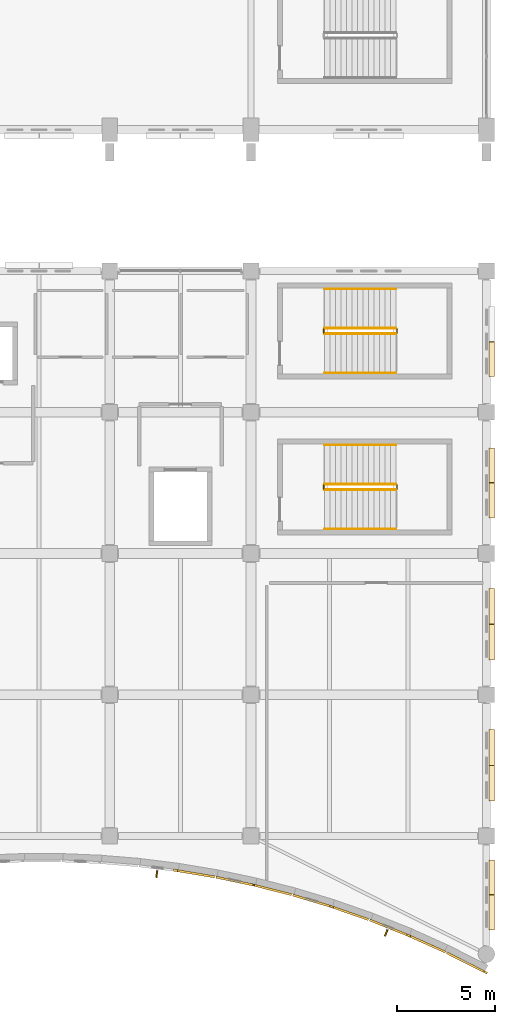
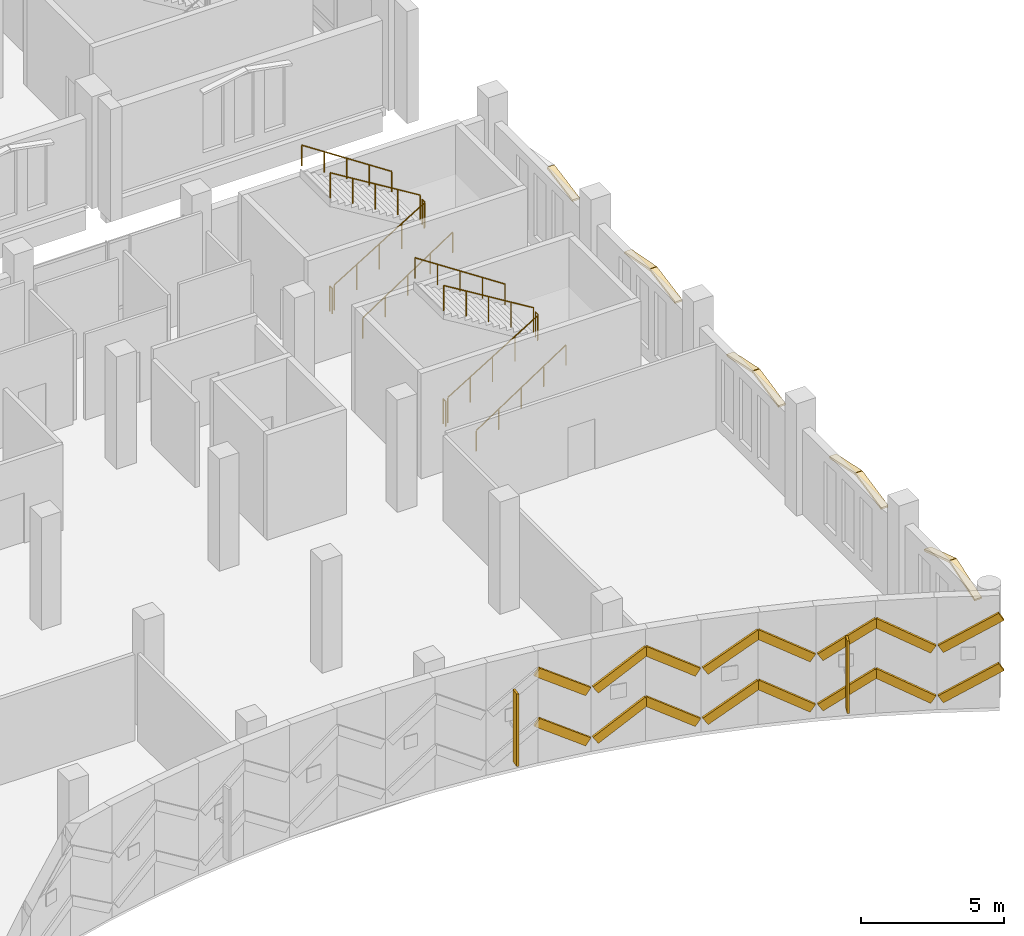
# One storey, part 209 of 220: 25 coverings, 12 railings, 2 shading devices.
"""IFC4 building model written with IfcOpenShell, lengths in metres."""

import ifcopenshell
import ifcopenshell.guid

model = None  # the IFC model being written
_history = None  # IfcOwnerHistory: only IFC2X3 demands one
_inside = {}  # id of a spatial element -> (the spatial element, [elements in it])
_under = {}  # id of a project, library or spatial element -> (it, [spatial elements below it])
_declared = {}  # id of a project -> (the project, [libraries it declares])
_typed = {}  # id of a type object -> (the type object, [elements of that type])
_made_of = {}  # id of a material, layer set ... -> (it, [elements and type objects made of it])


def new_model(schema):
    """Start an empty IFC model of exactly this schema.

    Asked for "IFC4X3", IfcOpenShell would pick the latest addendum, in which some entities
    have other attributes; the version numbers below select the first issue.
    IFC2X3 requires an IfcOwnerHistory on every rooted entity: one is made here for all.
    """
    global model, _history
    if schema == "IFC4X3":
        model = ifcopenshell.file(schema_version=(4, 3, 0, 0))
    else:
        model = ifcopenshell.file(schema=schema)
    _inside.clear()
    _under.clear()
    _declared.clear()
    _typed.clear()
    _made_of.clear()
    _history = None
    if model.schema == "IFC2X3":
        org = make("IfcOrganization", Name="unknown")
        user = make(
            "IfcPersonAndOrganization",
            ThePerson=make("IfcPerson", FamilyName="unknown"),
            TheOrganization=org,
        )
        app = make(
            "IfcApplication",
            ApplicationDeveloper=org,
            Version="unknown",
            ApplicationFullName="unknown",
            ApplicationIdentifier="unknown",
        )
        _history = make(
            "IfcOwnerHistory",
            OwningUser=user,
            OwningApplication=app,
            ChangeAction="ADDED",
            CreationDate=0,
        )
    return model


def make(cls, **values):
    """One entity of the class cls with the attributes given. An attribute that is None is left unset."""
    return model.create_entity(
        cls, **{name: value for name, value in values.items() if value is not None}
    )


def rooted(cls, **values):
    """An entity with a GlobalId (a new one), such as an element, a storey or a relation."""
    return make(cls, GlobalId=ifcopenshell.guid.new(), OwnerHistory=_history, **values)


def si_unit(unit_type, name, prefix=None):
    """IfcSIUnit, for example si_unit("LENGTHUNIT", "METRE", prefix="MILLI")."""
    return make("IfcSIUnit", UnitType=unit_type, Prefix=prefix, Name=name)


def assignment(units):
    """IfcUnitAssignment: the units of a project."""
    return None if units is None else make("IfcUnitAssignment", Units=units)


def point(xyz):
    """IfcCartesianPoint."""
    return None if xyz is None else make("IfcCartesianPoint", Coordinates=xyz)


def direction(xyz):
    """IfcDirection."""
    return None if xyz is None else make("IfcDirection", DirectionRatios=xyz)


def frame(location, z_axis=None, x_axis=None):
    """IfcAxis2Placement3D, a coordinate frame: its origin and axes. An axis left out is left unset."""
    return make(
        "IfcAxis2Placement3D",
        Location=point(location),
        Axis=direction(z_axis),
        RefDirection=direction(x_axis),
    )


def frame_2d(location, x_axis=None):
    """IfcAxis2Placement2D, a coordinate frame in the plane: its origin and x axis."""
    return make(
        "IfcAxis2Placement2D", Location=point(location), RefDirection=direction(x_axis)
    )


def origin():
    """The frame at (0, 0, 0) with its axes left unset."""
    return frame((0.0, 0.0, 0.0))


def origin_2d():
    """The frame at (0, 0) in the plane with its x axis left unset."""
    return frame_2d((0.0, 0.0))


def place(relative_to, where):
    """IfcLocalPlacement: puts the frame where relative to a parent placement (None: the world)."""
    return make(
        "IfcLocalPlacement", PlacementRelTo=relative_to, RelativePlacement=where
    )


def context(
    kind, dimensions, precision=None, world=None, true_north=None, identifier=None
):
    """IfcGeometricRepresentationContext, for example the 3D "Model" context."""
    return make(
        "IfcGeometricRepresentationContext",
        ContextIdentifier=identifier,
        ContextType=kind,
        CoordinateSpaceDimension=dimensions,
        Precision=precision,
        WorldCoordinateSystem=world,
        TrueNorth=true_north,
    )


def subcontext(parent, identifier, kind, view, scale=None):
    """IfcGeometricRepresentationSubContext, for example "Body" below "Model"."""
    return make(
        "IfcGeometricRepresentationSubContext",
        ContextIdentifier=identifier,
        ContextType=kind,
        ParentContext=parent,
        TargetScale=scale,
        TargetView=view,
    )


def project(units=None, contexts=None):
    """IfcProject with its units and contexts."""
    return rooted(
        "IfcProject",
        Name="project",
        RepresentationContexts=contexts,
        UnitsInContext=assignment(units),
    )


def spatial(cls, under=None, at=None, **own):
    """A site, building, storey or space (cls), placed at a placement, below another one or the project."""
    s = rooted(cls, ObjectPlacement=at, **own)
    if under is not None:
        _under.setdefault(under.id(), (under, []))[1].append(s)
    return s


def polyline(points):
    """IfcPolyline through the points."""
    return make("IfcPolyline", Points=[point(p) for p in points])


def profile(cls, at=None, kind="AREA", **sizes):
    """A parametric profile (cls). Its sizes go by their IFC names, for example OverallWidth=200.0."""
    return make(cls, ProfileType=kind, Position=at, **sizes)


def rectangle(**sizes):
    """IfcRectangleProfileDef."""
    return profile("IfcRectangleProfileDef", **sizes)


def circle(**sizes):
    """IfcCircleProfileDef."""
    return profile("IfcCircleProfileDef", **sizes)


def outline(outer, holes=None, kind="AREA"):
    """IfcArbitraryClosedProfileDef: a profile drawn as a closed curve; with holes, ...WithVoids."""
    if holes is None:
        return make("IfcArbitraryClosedProfileDef", ProfileType=kind, OuterCurve=outer)
    return make(
        "IfcArbitraryProfileDefWithVoids",
        ProfileType=kind,
        OuterCurve=outer,
        InnerCurves=holes,
    )


def extrude(swept, where, along, depth):
    """IfcExtrudedAreaSolid: the profile swept, set in the frame where, extruded along a direction by depth."""
    return make(
        "IfcExtrudedAreaSolid",
        SweptArea=swept,
        Position=where,
        ExtrudedDirection=direction(along),
        Depth=depth,
    )


def shape(context_of_items, identifier, shape_type, items):
    """IfcShapeRepresentation: the items that make up one representation, for example the "Body"."""
    return make(
        "IfcShapeRepresentation",
        ContextOfItems=context_of_items,
        RepresentationIdentifier=identifier,
        RepresentationType=shape_type,
        Items=items,
    )


def material(Name=None, Category=None):
    """IfcMaterial."""
    return make("IfcMaterial", Name=Name, Category=Category)


def layer(
    of_material, thickness, ventilated=None, Name=None, Category=None, Priority=None
):
    """IfcMaterialLayer: one layer of a wall or slab, of a material (None: an air gap)."""
    return make(
        "IfcMaterialLayer",
        Material=of_material,
        LayerThickness=thickness,
        IsVentilated=ventilated,
        Name=Name,
        Category=Category,
        Priority=Priority,
    )


def layer_set(layers, Name=None):
    """IfcMaterialLayerSet."""
    return make("IfcMaterialLayerSet", MaterialLayers=layers, LayerSetName=Name)


def made_of(thing, what):
    """Note that an element or type object is made of a material, layer set ...; save() writes the relation."""
    if what is not None:
        _made_of.setdefault(what.id(), (what, []))[1].append(thing)
    return thing


def type_object(cls, material=None, **own):
    """A type object (cls), such as IfcWallType, which elements share."""
    return made_of(rooted(cls, **own), material)


def element(
    cls,
    number,
    at=None,
    inside=None,
    cuts=None,
    type_object=None,
    material=None,
    context=None,
    identifier="Body",
    shape_type=None,
    held_by="IfcProductDefinitionShape",
    body=None,
    shapes=None,
    **own,
):
    """One element of the class cls, such as IfcWall. Its Tag is "e" and its number.

    at: its placement. inside: the storey or other place that contains it. cuts: it is an
    opening in that element (IfcRelVoidsElement). A single representation is given by context,
    identifier, shape_type and body (its items); several are given by shapes. held_by: the class
    of the entity that holds the representations. save() writes the other relations.
    """
    e = rooted(cls, Tag="e%d" % number, ObjectPlacement=at, **own)
    if body is not None:
        shapes = [shape(context, identifier, shape_type, body)]
    if shapes is not None:
        e.Representation = make(held_by, Representations=shapes)
    if inside is not None:
        _inside.setdefault(inside.id(), (inside, []))[1].append(e)
    if cuts is not None:
        rooted(
            "IfcRelVoidsElement", RelatingBuildingElement=cuts, RelatedOpeningElement=e
        )
    if type_object is not None:
        _typed.setdefault(type_object.id(), (type_object, []))[1].append(e)
    return made_of(e, material)


def aggregate(whole, parts):
    """IfcRelAggregates: a whole, such as a stair, and the parts it consists of."""
    return rooted("IfcRelAggregates", RelatingObject=whole, RelatedObjects=parts)


def save(model, path):
    """Write the relations noted so far, then the file.

    IfcRelAggregates (storeys below a building ...), IfcRelContainedInSpatialStructure (elements
    in a storey), IfcRelDefinesByType, IfcRelAssociatesMaterial and IfcRelDeclares: one each for
    every whole, place, type object, material and project.
    """
    for whole, parts in _under.values():
        aggregate(whole, parts)
    for where, things in _inside.values():
        rooted(
            "IfcRelContainedInSpatialStructure",
            RelatedElements=things,
            RelatingStructure=where,
        )
    for kind, things in _typed.values():
        rooted("IfcRelDefinesByType", RelatedObjects=things, RelatingType=kind)
    for what, things in _made_of.values():
        rooted("IfcRelAssociatesMaterial", RelatedObjects=things, RelatingMaterial=what)
    for by, libraries in _declared.values():
        rooted("IfcRelDeclares", RelatingContext=by, RelatedDefinitions=libraries)
    model.write(path)


model = new_model("IFC4")

# Units and contexts
model_context = context("Model", 3, precision=1e-05, world=origin(), true_north=direction((0.0, 1.0)))
body_context = subcontext(model_context, "Body", "Model", "MODEL_VIEW")
ifc_project = project(units=[si_unit("LENGTHUNIT", "METRE"), si_unit("AREAUNIT", "SQUARE_METRE"), si_unit("VOLUMEUNIT", "CUBIC_METRE"), si_unit("PLANEANGLEUNIT", "RADIAN"), si_unit("MASSUNIT", "GRAM", prefix="KILO")], contexts=[model_context])

# Site, building, storey
site_placement = place(None, origin())
site = spatial("IfcSite", under=ifc_project, at=site_placement, CompositionType="ELEMENT")
building_placement = place(site_placement, origin())
building = spatial("IfcBuilding", under=site, at=building_placement, Name="Cendralis Lancet Convention Centre", CompositionType="ELEMENT")
storey_placement = place(building_placement, frame((0.0, 0.0, 5.39990234375)))
storey = spatial("IfcBuildingStorey", under=building, at=storey_placement, Name="L01", CompositionType="ELEMENT", Elevation=5.39990234375)

# Coverings
ifc_material_1 = material(Name="Warm buff sandstone chevron cassette", Category="masonry")
ifc_layer_1 = layer(ifc_material_1, 0.06005859375, Name="Warm buff sandstone chevron cassette")
ifc_layer_set_1 = layer_set([ifc_layer_1], Name="Warm buff sandstone chevron cassette")
covering_type_1 = type_object("IfcCoveringType", Name="ARC-CV-CLAD1", PredefinedType="CLADDING", material=ifc_layer_set_1)
covering_1_placement = place(storey_placement, frame((193.0419921875, 5.382080078125, 1.9501953125), z_axis=(0.553739071072, -0.092808910675, 0.827501992304), x_axis=(0.816245896704, -0.136023421604, -0.561462612191)))
element("IfcCovering", 1, at=covering_1_placement, inside=storey, type_object=covering_type_1, Name="L01 Diagonal Stone Chevron Relief CL-ST1 #0577", PredefinedType="CLADDING", context=body_context, shape_type="SweptSolid", body=[
    extrude(outline(polyline([(0.0, 0.0), (2.315385280804476, -2.461138931542095e-17), (2.315553254349196, 0.1101746546513595), (1.903604510097509e-06, 0.1098936445740039), (0.0, 0.0)])), origin(), (0.0, 0.0, -1.0), 0.360107421875),
])
covering_2_placement = place(storey_placement, frame((194.99951171875, 5.054443359375, 0.650146484375), z_axis=(-0.546008317773, 0.11527530886, 0.829811135193), x_axis=(0.812082723198, -0.170611782132, 0.55804414743)))
element("IfcCovering", 2, at=covering_2_placement, inside=storey, type_object=covering_type_1, Name="L01 Diagonal Stone Chevron Relief CL-ST1 #0583", PredefinedType="CLADDING", context=body_context, shape_type="SweptSolid", body=[
    extrude(outline(polyline([(0.0, 0.0), (2.3296313692475206, 3.241764495731658e-17), (2.329742333387949, 0.10979511505583925), (6.931087330616995e-05, 0.11003402424348298), (0.0, 0.0)])), origin(), (0.0, 0.0, -1.0), 0.360107421875),
])
covering_3_placement = place(storey_placement, frame((196.95849609375, 4.641357421875, 1.9501953125), z_axis=(0.53729207941, -0.13663097552, 0.832255488376), x_axis=(0.806641328387, -0.204887729162, -0.554392267061)))
element("IfcCovering", 3, at=covering_3_placement, inside=storey, type_object=covering_type_1, Name="L01 Diagonal Stone Chevron Relief CL-ST1 #0589", PredefinedType="CLADDING", context=body_context, shape_type="SweptSolid", body=[
    extrude(outline(polyline([(0.0, 0.0), (2.3450231653887803, -4.9087253359281213e-17), (2.3450234705174986, 0.11007737259819028), (5.032654697058672e-05, 0.1098407509559348), (0.0, 0.0)])), origin(), (0.0, 0.0, -1.0), 0.360107421875),
])
covering_4_placement = place(storey_placement, frame((198.916015625, 4.142578125, 0.650146484375), z_axis=(-0.526319472776, 0.158383174678, 0.835405639528), x_axis=(0.800039846912, -0.240497076933, 0.54963387754)))
element("IfcCovering", 4, at=covering_4_placement, inside=storey, type_object=covering_type_1, Name="L01 Diagonal Stone Chevron Relief CL-ST1 #0595", PredefinedType="CLADDING", context=body_context, shape_type="SweptSolid", body=[
    extrude(outline(polyline([(0.0, 0.0), (2.3652996681077996, 1.0397498834135988e-16), (2.3653266316975596, 0.11014070544640357), (2.69635897597216e-05, 0.11014070544640354), (0.0, 0.0)])), origin(), (0.0, 0.0, -1.0), 0.360107421875),
])
covering_5_placement = place(storey_placement, frame((200.873779296875, 3.552490234375, 1.9501953125), z_axis=(0.513983727018, -0.178567116429, 0.839008053174), x_axis=(0.792421139689, -0.275686941957, -0.54411896439)))
element("IfcCovering", 5, at=covering_5_placement, inside=storey, type_object=covering_type_1, Name="L01 Diagonal Stone Chevron Relief CL-ST1 #0601", PredefinedType="CLADDING", context=body_context, shape_type="SweptSolid", body=[
    extrude(outline(polyline([(0.0, 0.0), (2.389273142837566, -4.7488055154865094e-17), (2.3892330284332814, 0.11010173043714395), (-4.011440428489804e-05, 0.11010173043714397), (0.0, 0.0)])), origin(), (0.0, 0.0, -1.0), 0.360107421875),
])
covering_6_placement = place(storey_placement, frame((202.831298828125, 2.8701171875, 0.650146484375), z_axis=(-0.499371348578, 0.198674622553, 0.843301043858), x_axis=(0.783631047335, -0.311575097572, 0.537441476094)))
element("IfcCovering", 6, at=covering_6_placement, inside=storey, type_object=covering_type_1, Name="L01 Diagonal Stone Chevron Relief CL-ST1 #0607", PredefinedType="CLADDING", context=body_context, shape_type="SweptSolid", body=[
    extrude(outline(polyline([(0.0, 0.0), (2.4189012787871182, -1.2891163830852648e-16), (2.4189785295250257, 0.11012065049088536), (-3.7997296702688144e-05, 0.10980357350300812), (0.0, 0.0)])), origin(), (0.0, 0.0, -1.0), 0.360107421875),
])
covering_7_placement = place(storey_placement, frame((204.78955078125, 2.090087890625, 1.9501953125), z_axis=(0.483255135608, -0.217788550761, 0.84795791232), x_axis=(0.773127580501, -0.348290639512, -0.530063557224)))
element("IfcCovering", 7, at=covering_7_placement, inside=storey, type_object=covering_type_1, Name="L01 Diagonal Stone Chevron Relief CL-ST1 #0613", PredefinedType="CLADDING", context=body_context, shape_type="SweptSolid", body=[
    extrude(outline(polyline([(0.0, 0.0), (2.452670729399832, -1.7509865085640897e-16), (2.452641713177549, 0.11003837339224269), (5.6015672128650884e-05, 0.10981578169660179), (0.0, 0.0)])), origin(), (0.0, 0.0, -1.0), 0.360107421875),
])
covering_8_placement = place(storey_placement, frame((206.7470703125, 1.20654296875, 0.650146484375), z_axis=(-0.465288690194, 0.235537931479, 0.853245754523), x_axis=(0.761197332225, -0.385495713068, 0.521509037908)))
element("IfcCovering", 8, at=covering_8_placement, inside=storey, type_object=covering_type_1, Name="L01 Diagonal Stone Chevron Relief CL-ST1 #0619", PredefinedType="CLADDING", context=body_context, shape_type="SweptSolid", body=[
    extrude(outline(polyline([(0.0, 0.0), (2.4927667039913324, 4.434386885465713e-17), (2.492843603190642, 0.11005837892574348), (-0.00010893999312787395, 0.10994808650860496), (0.0, 0.0)])), origin(), (0.0, 0.0, -1.0), 0.360107421875),
])
for number, where, z_axis, x_axis, name in (
    (9, (209.219970703125, 12.6201171875, 3.22021484375), (0.0, 0.207925027123, 0.97814476592), (-1.0, 0.0, 0.0), "L01 Gothic Pointed Lancet Hood-Mould #0333L"),
    (10, (209.219970703125, 10.7900390625, 3.60498046875), (0.0, -0.207925027123, 0.97814476592), (-1.0, 0.0, 0.0), "L01 Gothic Pointed Lancet Hood-Mould #0334R"),
):
    element("IfcCovering", number, at=place(storey_placement, frame(where, z_axis=z_axis, x_axis=x_axis)), inside=storey, type_object=covering_type_1, Name=name, PredefinedType="CLADDING", context=body_context, shape_type="SweptSolid", body=[
        extrude(outline(polyline([(0.0, 0.0), (0.284912109375, 0.0), (0.284912109375, 1.8505017424984687), (0.0, 1.8505017424984687), (0.0, 0.0)])), origin(), (0.0, 0.0, -1.0), 0.090087890625),
    ])
for number, where, z_axis, x_axis, name in (
    (11, (209.219970703125, 5.984375, 3.27001953125), (0.0, 0.313790785072, 0.949492150154), (-1.0, 0.0, 0.0), "L01 Gothic Pointed Lancet Hood-Mould #0335L"),
    (12, (209.219970703125, 4.1943359375, 3.85498046875), (0.0, -0.313790785072, 0.949492150154), (-1.0, 0.0, 0.0), "L01 Gothic Pointed Lancet Hood-Mould #0336R"),
):
    element("IfcCovering", number, at=place(storey_placement, frame(where, z_axis=z_axis, x_axis=x_axis)), inside=storey, type_object=covering_type_1, Name=name, PredefinedType="CLADDING", context=body_context, shape_type="SweptSolid", body=[
        extrude(outline(polyline([(0.0, 0.0), (0.284912109375, 0.0), (0.284912109375, 1.8641750023555592), (0.0, 1.8641750023555592), (0.0, 0.0)])), origin(), (0.0, 0.0, -1.0), 0.090087890625),
    ])
for number, where, z_axis, x_axis, name in (
    (13, (209.219970703125, 19.820068359375, 3.22021484375), (0.0, 0.207925027123, 0.97814476592), (-1.0, 0.0, 0.0), "L01 Gothic Pointed Lancet Hood-Mould #0337L"),
    (14, (209.219970703125, 17.989990234375, 3.60498046875), (0.0, -0.207925027123, 0.97814476592), (-1.0, 0.0, 0.0), "L01 Gothic Pointed Lancet Hood-Mould #0338R"),
):
    element("IfcCovering", number, at=place(storey_placement, frame(where, z_axis=z_axis, x_axis=x_axis)), inside=storey, type_object=covering_type_1, Name=name, PredefinedType="CLADDING", context=body_context, shape_type="SweptSolid", body=[
        extrude(outline(polyline([(0.0, 0.0), (0.284912109375, 0.0), (0.284912109375, 1.8505017424984687), (0.0, 1.8505017424984687), (0.0, 0.0)])), origin(), (0.0, 0.0, -1.0), 0.090087890625),
    ])
for number, where, z_axis, x_axis, name in (
    (15, (209.219970703125, 26.97998046875, 3.27001953125), (0.0, 0.185941175824, 0.98256087808), (-1.0, 0.0, 0.0), "L01 Gothic Pointed Lancet Hood-Mould #0339L"),
    (16, (209.219970703125, 25.18994140625, 3.60498046875), (0.0, -0.185941175824, 0.98256087808), (-1.0, 0.0, 0.0), "L01 Gothic Pointed Lancet Hood-Mould #0340R"),
):
    element("IfcCovering", number, at=place(storey_placement, frame(where, z_axis=z_axis, x_axis=x_axis)), inside=storey, type_object=covering_type_1, Name=name, PredefinedType="CLADDING", context=body_context, shape_type="SweptSolid", body=[
        extrude(outline(polyline([(0.0, 0.0), (0.284912109375, 0.0), (0.284912109375, 1.801434975417472), (0.0, 1.801434975417472), (0.0, 0.0)])), origin(), (0.0, 0.0, -1.0), 0.090087890625),
    ])
covering_9_placement = place(storey_placement, frame((209.219970703125, 32.389892578125, 3.60498046875), z_axis=(0.0, -0.185965939397, 0.982556191464), x_axis=(-1.0, 0.0, 0.0)))
element("IfcCovering", 17, at=covering_9_placement, inside=storey, type_object=covering_type_1, Name="L01 Gothic Pointed Lancet Hood-Mould #0342R", PredefinedType="CLADDING", context=body_context, shape_type="SweptSolid", body=[
    extrude(outline(polyline([(0.0, 0.0), (0.284912109375, 0.0), (0.284912109375, 1.801195092962656), (0.0, 1.801195092962656), (0.0, 0.0)])), origin(), (0.0, 0.0, -1.0), 0.090087890625),
])
ifc_material_2 = material(Name="Dark Andean slate chevron cassette", Category="masonry")
ifc_layer_2 = layer(ifc_material_2, 0.06005859375, Name="Dark Andean slate chevron cassette")
ifc_layer_set_2 = layer_set([ifc_layer_2], Name="Dark Andean slate chevron cassette")
covering_type_2 = type_object("IfcCoveringType", Name="ARC-CV-CLAD2", PredefinedType="CLADDING", material=ifc_layer_set_2)
covering_10_placement = place(storey_placement, frame((193.0419921875, 5.382080078125, 4.10009765625), z_axis=(0.553739071072, -0.092808910675, 0.827501992304), x_axis=(0.816245896704, -0.136023421604, -0.561462612191)))
element("IfcCovering", 18, at=covering_10_placement, inside=storey, type_object=covering_type_2, Name="L01 Diagonal Stone Chevron Relief CL-ST2 #0578", PredefinedType="CLADDING", context=body_context, shape_type="SweptSolid", body=[
    extrude(outline(polyline([(0.0, 0.0), (2.315385280804476, -2.461138931542095e-17), (2.315553254349196, 0.1101746546513595), (1.903604510097509e-06, 0.1098936445740039), (0.0, 0.0)])), origin(), (0.0, 0.0, -1.0), 0.360107421875),
])
covering_11_placement = place(storey_placement, frame((194.99951171875, 5.054443359375, 2.800048828125), z_axis=(-0.546008317773, 0.11527530886, 0.829811135193), x_axis=(0.812082723198, -0.170611782132, 0.55804414743)))
element("IfcCovering", 19, at=covering_11_placement, inside=storey, type_object=covering_type_2, Name="L01 Diagonal Stone Chevron Relief CL-ST2 #0584", PredefinedType="CLADDING", context=body_context, shape_type="SweptSolid", body=[
    extrude(outline(polyline([(0.0, 0.0), (2.3296313692475206, 3.241764495731658e-17), (2.329742333387949, 0.10979511505583925), (6.931087330616995e-05, 0.11003402424348298), (0.0, 0.0)])), origin(), (0.0, 0.0, -1.0), 0.360107421875),
])
covering_12_placement = place(storey_placement, frame((196.95849609375, 4.641357421875, 4.10009765625), z_axis=(0.53729207941, -0.13663097552, 0.832255488376), x_axis=(0.806641328387, -0.204887729162, -0.554392267061)))
element("IfcCovering", 20, at=covering_12_placement, inside=storey, type_object=covering_type_2, Name="L01 Diagonal Stone Chevron Relief CL-ST2 #0590", PredefinedType="CLADDING", context=body_context, shape_type="SweptSolid", body=[
    extrude(outline(polyline([(0.0, 0.0), (2.3450231653887803, -4.9087253359281213e-17), (2.3450234705174986, 0.11007737259819028), (5.032654697058672e-05, 0.1098407509559348), (0.0, 0.0)])), origin(), (0.0, 0.0, -1.0), 0.360107421875),
])
covering_13_placement = place(storey_placement, frame((198.916015625, 4.142578125, 2.800048828125), z_axis=(-0.526319472776, 0.158383174678, 0.835405639528), x_axis=(0.800039846912, -0.240497076933, 0.54963387754)))
element("IfcCovering", 21, at=covering_13_placement, inside=storey, type_object=covering_type_2, Name="L01 Diagonal Stone Chevron Relief CL-ST2 #0596", PredefinedType="CLADDING", context=body_context, shape_type="SweptSolid", body=[
    extrude(outline(polyline([(0.0, 0.0), (2.3652996681077996, 1.0397498834135988e-16), (2.3653266316975596, 0.11014070544640357), (2.69635897597216e-05, 0.11014070544640354), (0.0, 0.0)])), origin(), (0.0, 0.0, -1.0), 0.360107421875),
])
covering_14_placement = place(storey_placement, frame((200.873779296875, 3.552490234375, 4.10009765625), z_axis=(0.513983727018, -0.178567116429, 0.839008053174), x_axis=(0.792421139689, -0.275686941957, -0.54411896439)))
element("IfcCovering", 22, at=covering_14_placement, inside=storey, type_object=covering_type_2, Name="L01 Diagonal Stone Chevron Relief CL-ST2 #0602", PredefinedType="CLADDING", context=body_context, shape_type="SweptSolid", body=[
    extrude(outline(polyline([(0.0, 0.0), (2.389273142837566, -4.7488055154865094e-17), (2.3892330284332814, 0.11010173043714395), (-4.011440428489804e-05, 0.11010173043714397), (0.0, 0.0)])), origin(), (0.0, 0.0, -1.0), 0.360107421875),
])
covering_15_placement = place(storey_placement, frame((202.831298828125, 2.8701171875, 2.800048828125), z_axis=(-0.499371348578, 0.198674622553, 0.843301043858), x_axis=(0.783631047335, -0.311575097572, 0.537441476094)))
element("IfcCovering", 23, at=covering_15_placement, inside=storey, type_object=covering_type_2, Name="L01 Diagonal Stone Chevron Relief CL-ST2 #0608", PredefinedType="CLADDING", context=body_context, shape_type="SweptSolid", body=[
    extrude(outline(polyline([(0.0, 0.0), (2.4189012787871182, -1.2891163830852648e-16), (2.4189785295250257, 0.11012065049088536), (-3.7997296702688144e-05, 0.10980357350300812), (0.0, 0.0)])), origin(), (0.0, 0.0, -1.0), 0.360107421875),
])
covering_16_placement = place(storey_placement, frame((204.78955078125, 2.090087890625, 4.10009765625), z_axis=(0.483255135608, -0.217788550761, 0.84795791232), x_axis=(0.773127580501, -0.348290639512, -0.530063557224)))
element("IfcCovering", 24, at=covering_16_placement, inside=storey, type_object=covering_type_2, Name="L01 Diagonal Stone Chevron Relief CL-ST2 #0614", PredefinedType="CLADDING", context=body_context, shape_type="SweptSolid", body=[
    extrude(outline(polyline([(0.0, 0.0), (2.452670729399832, -1.7509865085640897e-16), (2.452641713177549, 0.11003837339224269), (5.6015672128650884e-05, 0.10981578169660179), (0.0, 0.0)])), origin(), (0.0, 0.0, -1.0), 0.360107421875),
])
covering_17_placement = place(storey_placement, frame((206.7470703125, 1.20654296875, 2.800048828125), z_axis=(-0.465288690194, 0.235537931479, 0.853245754523), x_axis=(0.761197332225, -0.385495713068, 0.521509037908)))
element("IfcCovering", 25, at=covering_17_placement, inside=storey, type_object=covering_type_2, Name="L01 Diagonal Stone Chevron Relief CL-ST2 #0620", PredefinedType="CLADDING", context=body_context, shape_type="SweptSolid", body=[
    extrude(outline(polyline([(0.0, 0.0), (2.4927667039913324, 4.434386885465713e-17), (2.492843603190642, 0.11005837892574348), (-0.00010893999312787395, 0.10994808650860496), (0.0, 0.0)])), origin(), (0.0, 0.0, -1.0), 0.360107421875),
])

# Railings
ifc_material_3 = material(Name="Steel S355", Category="steel")
railing_type_1 = type_object("IfcRailingType", Name="ARC-RL-CGD", PredefinedType="GUARDRAIL", material=ifc_material_3)
railing_1_placement = place(storey_placement, frame((200.550048828125, 24.85009765625, 0.171630859375)))
element("IfcRailing", 26, at=railing_1_placement, inside=storey, type_object=railing_type_1, Name="L01 ST-15 stair guard 1", PredefinedType="GUARDRAIL", context=body_context, shape_type="SweptSolid", body=[
    extrude(circle(Radius=0.02392578125, at=origin_2d()), frame((0.0, 0.0, 1.076171875), z_axis=(0.852850264322, 0.0, 0.5221555579), x_axis=(0.0, 1.0, 0.0)), (0.0, 0.0, 1.0), 4.267822265625),
    extrude(circle(Radius=0.02099609375, at=origin_2d()), origin(), (0.0, 0.0, 1.0), 1.052001953125),
    extrude(circle(Radius=0.02099609375, at=origin_2d()), frame((0.909912109375, 0.0, 0.55712890625)), (0.0, 0.0, 1.0), 1.052001953125),
    extrude(circle(Radius=0.02099609375, at=origin_2d()), frame((1.81982421875, 0.0, 1.1142578125)), (0.0, 0.0, 1.0), 1.052001953125),
    extrude(circle(Radius=0.02099609375, at=origin_2d()), frame((2.72998046875, 0.0, 1.67138671875)), (0.0, 0.0, 1.0), 1.052001953125),
    extrude(circle(Radius=0.02099609375, at=origin_2d()), frame((3.639892578125, 0.0, 2.228515625)), (0.0, 0.0, 1.0), 1.052001953125),
])
railing_2_placement = place(storey_placement, frame((204.239990234375, 24.89990234375, 2.400146484375)))
element("IfcRailing", 27, at=railing_2_placement, inside=storey, type_object=railing_type_1, Name="L01 ST-15 stair guard 2", PredefinedType="GUARDRAIL", context=body_context, shape_type="SweptSolid", body=[
    extrude(circle(Radius=0.02392578125, at=origin_2d()), frame((0.0, 0.0, 1.076171875), z_axis=(0.0, 1.0, 0.0), x_axis=(-1.0, 0.0, 0.0)), (0.0, 0.0, 1.0), 0.18017578125),
    extrude(circle(Radius=0.02099609375, at=origin_2d()), origin(), (0.0, 0.0, 1.0), 1.052001953125),
    extrude(circle(Radius=0.02099609375, at=origin_2d()), frame((0.0, 0.18017578125, 0.0)), (0.0, 0.0, 1.0), 1.052001953125),
])
railing_3_placement = place(storey_placement, frame((204.18994140625, 25.1298828125, 2.571533203125)))
element("IfcRailing", 28, at=railing_3_placement, inside=storey, type_object=railing_type_1, Name="L01 ST-15 stair guard 3", PredefinedType="GUARDRAIL", context=body_context, shape_type="SweptSolid", body=[
    extrude(circle(Radius=0.02392578125, at=origin_2d()), frame((0.0, 0.0, 1.076171875), z_axis=(-0.852850264322, 0.0, 0.5221555579), x_axis=(0.0, -1.0, 0.0)), (0.0, 0.0, 1.0), 4.267822265625),
    extrude(circle(Radius=0.02099609375, at=origin_2d()), origin(), (0.0, 0.0, 1.0), 1.052001953125),
    extrude(circle(Radius=0.02099609375, at=origin_2d()), frame((-0.909912109375, 0.0, 0.55712890625)), (0.0, 0.0, 1.0), 1.052001953125),
    extrude(circle(Radius=0.02099609375, at=origin_2d()), frame((-1.81982421875, 0.0, 1.1142578125)), (0.0, 0.0, 1.0), 1.052001953125),
    extrude(circle(Radius=0.02099609375, at=origin_2d()), frame((-2.72998046875, 0.0, 1.67138671875)), (0.0, 0.0, 1.0), 1.052001953125),
    extrude(circle(Radius=0.02099609375, at=origin_2d()), frame((-3.639892578125, 0.0, 2.228515625)), (0.0, 0.0, 1.0), 1.052001953125),
])
railing_4_placement = place(storey_placement, frame((200.5, 24.89990234375, 0.0)))
element("IfcRailing", 29, at=railing_4_placement, inside=storey, type_object=railing_type_1, Name="L01 ST-15 stair guard 4", PredefinedType="GUARDRAIL", context=body_context, shape_type="SweptSolid", body=[
    extrude(circle(Radius=0.02392578125, at=origin_2d()), frame((0.0, 0.0, 1.076171875), z_axis=(0.0, 1.0, 0.0), x_axis=(-1.0, 0.0, 0.0)), (0.0, 0.0, 1.0), 0.18017578125),
    extrude(circle(Radius=0.02099609375, at=origin_2d()), origin(), (0.0, 0.0, 1.0), 1.052001953125),
    extrude(circle(Radius=0.02099609375, at=origin_2d()), frame((0.0, 0.18017578125, 0.0)), (0.0, 0.0, 1.0), 1.052001953125),
])
railing_5_placement = place(storey_placement, frame((200.550048828125, 32.800048828125, 0.171630859375)))
element("IfcRailing", 30, at=railing_5_placement, inside=storey, type_object=railing_type_1, Name="L01 ST-16 stair guard 1", PredefinedType="GUARDRAIL", context=body_context, shape_type="SweptSolid", body=[
    extrude(circle(Radius=0.02392578125, at=origin_2d()), frame((0.0, 0.0, 1.076171875), z_axis=(0.852850264322, 0.0, 0.5221555579), x_axis=(0.0, 1.0, 0.0)), (0.0, 0.0, 1.0), 4.267822265625),
    extrude(circle(Radius=0.02099609375, at=origin_2d()), origin(), (0.0, 0.0, 1.0), 1.052001953125),
    extrude(circle(Radius=0.02099609375, at=origin_2d()), frame((0.909912109375, 0.0, 0.55712890625)), (0.0, 0.0, 1.0), 1.052001953125),
    extrude(circle(Radius=0.02099609375, at=origin_2d()), frame((1.81982421875, 0.0, 1.1142578125)), (0.0, 0.0, 1.0), 1.052001953125),
    extrude(circle(Radius=0.02099609375, at=origin_2d()), frame((2.72998046875, 0.0, 1.67138671875)), (0.0, 0.0, 1.0), 1.052001953125),
    extrude(circle(Radius=0.02099609375, at=origin_2d()), frame((3.639892578125, 0.0, 2.228515625)), (0.0, 0.0, 1.0), 1.052001953125),
])
railing_6_placement = place(storey_placement, frame((204.239990234375, 32.85009765625, 2.400146484375)))
element("IfcRailing", 31, at=railing_6_placement, inside=storey, type_object=railing_type_1, Name="L01 ST-16 stair guard 2", PredefinedType="GUARDRAIL", context=body_context, shape_type="SweptSolid", body=[
    extrude(circle(Radius=0.02392578125, at=origin_2d()), frame((0.0, 0.0, 1.076171875), z_axis=(0.0, 1.0, 0.0), x_axis=(-1.0, 0.0, 0.0)), (0.0, 0.0, 1.0), 0.179931640625),
    extrude(circle(Radius=0.02099609375, at=origin_2d()), origin(), (0.0, 0.0, 1.0), 1.052001953125),
    extrude(circle(Radius=0.02099609375, at=origin_2d()), frame((0.0, 0.179931640625, 0.0)), (0.0, 0.0, 1.0), 1.052001953125),
])
railing_7_placement = place(storey_placement, frame((204.18994140625, 33.080078125, 2.571533203125)))
element("IfcRailing", 32, at=railing_7_placement, inside=storey, type_object=railing_type_1, Name="L01 ST-16 stair guard 3", PredefinedType="GUARDRAIL", context=body_context, shape_type="SweptSolid", body=[
    extrude(circle(Radius=0.02392578125, at=origin_2d()), frame((0.0, 0.0, 1.076171875), z_axis=(-0.852850264322, 0.0, 0.5221555579), x_axis=(0.0, -1.0, 0.0)), (0.0, 0.0, 1.0), 4.267822265625),
    extrude(circle(Radius=0.02099609375, at=origin_2d()), origin(), (0.0, 0.0, 1.0), 1.052001953125),
    extrude(circle(Radius=0.02099609375, at=origin_2d()), frame((-0.909912109375, 0.0, 0.55712890625)), (0.0, 0.0, 1.0), 1.052001953125),
    extrude(circle(Radius=0.02099609375, at=origin_2d()), frame((-1.81982421875, 0.0, 1.1142578125)), (0.0, 0.0, 1.0), 1.052001953125),
    extrude(circle(Radius=0.02099609375, at=origin_2d()), frame((-2.72998046875, 0.0, 1.67138671875)), (0.0, 0.0, 1.0), 1.052001953125),
    extrude(circle(Radius=0.02099609375, at=origin_2d()), frame((-3.639892578125, 0.0, 2.228515625)), (0.0, 0.0, 1.0), 1.052001953125),
])
railing_8_placement = place(storey_placement, frame((200.5, 32.85009765625, 0.0)))
element("IfcRailing", 33, at=railing_8_placement, inside=storey, type_object=railing_type_1, Name="L01 ST-16 stair guard 4", PredefinedType="GUARDRAIL", context=body_context, shape_type="SweptSolid", body=[
    extrude(circle(Radius=0.02392578125, at=origin_2d()), frame((0.0, 0.0, 1.076171875), z_axis=(0.0, 1.0, 0.0), x_axis=(-1.0, 0.0, 0.0)), (0.0, 0.0, 1.0), 0.179931640625),
    extrude(circle(Radius=0.02099609375, at=origin_2d()), origin(), (0.0, 0.0, 1.0), 1.052001953125),
    extrude(circle(Radius=0.02099609375, at=origin_2d()), frame((0.0, 0.179931640625, 0.0)), (0.0, 0.0, 1.0), 1.052001953125),
])
railing_type_2 = type_object("IfcRailingType", Name="ARC-RL-CHR", PredefinedType="HANDRAIL", material=ifc_material_3)
railing_9_placement = place(storey_placement, frame((200.550048828125, 22.85009765625, 0.171630859375)))
element("IfcRailing", 34, at=railing_9_placement, inside=storey, type_object=railing_type_2, Name="L01 ST-15 stair handrail 1", PredefinedType="HANDRAIL", context=body_context, shape_type="SweptSolid", body=[
    extrude(circle(Radius=0.02392578125, at=origin_2d()), frame((0.0, 0.0, 0.8759765625), z_axis=(0.834865213223, 0.0, 0.550454426587), x_axis=(0.0, 1.0, 0.0)), (0.0, 0.0, 1.0), 4.35986328125),
    extrude(circle(Radius=0.02099609375, at=origin_2d()), origin(), (0.0, 0.0, 1.0), 0.851806640625),
    extrude(circle(Radius=0.02099609375, at=origin_2d()), frame((0.909912109375, 0.0, 0.60009765625)), (0.0, 0.0, 1.0), 0.851806640625),
    extrude(circle(Radius=0.02099609375, at=origin_2d()), frame((1.81982421875, 0.0, 1.199951171875)), (0.0, 0.0, 1.0), 0.851806640625),
    extrude(circle(Radius=0.02099609375, at=origin_2d()), frame((2.72998046875, 0.0, 1.7998046875)), (0.0, 0.0, 1.0), 0.851806640625),
    extrude(circle(Radius=0.02099609375, at=origin_2d()), frame((3.639892578125, 0.0, 2.39990234375)), (0.0, 0.0, 1.0), 0.851806640625),
])
railing_10_placement = place(storey_placement, frame((204.18994140625, 27.1298828125, 2.571533203125)))
element("IfcRailing", 35, at=railing_10_placement, inside=storey, type_object=railing_type_2, Name="L01 ST-15 stair handrail 2", PredefinedType="HANDRAIL", context=body_context, shape_type="SweptSolid", body=[
    extrude(circle(Radius=0.02392578125, at=origin_2d()), frame((0.0, 0.0, 0.8759765625), z_axis=(-0.834865213223, 0.0, 0.550454426587), x_axis=(0.0, -1.0, 0.0)), (0.0, 0.0, 1.0), 4.35986328125),
    extrude(circle(Radius=0.02099609375, at=origin_2d()), origin(), (0.0, 0.0, 1.0), 0.851806640625),
    extrude(circle(Radius=0.02099609375, at=origin_2d()), frame((-0.909912109375, 0.0, 0.60009765625)), (0.0, 0.0, 1.0), 0.851806640625),
    extrude(circle(Radius=0.02099609375, at=origin_2d()), frame((-1.81982421875, 0.0, 1.199951171875)), (0.0, 0.0, 1.0), 0.851806640625),
    extrude(circle(Radius=0.02099609375, at=origin_2d()), frame((-2.72998046875, 0.0, 1.7998046875)), (0.0, 0.0, 1.0), 0.851806640625),
    extrude(circle(Radius=0.02099609375, at=origin_2d()), frame((-3.639892578125, 0.0, 2.39990234375)), (0.0, 0.0, 1.0), 0.851806640625),
])
railing_11_placement = place(storey_placement, frame((200.550048828125, 30.800048828125, 0.171630859375)))
element("IfcRailing", 36, at=railing_11_placement, inside=storey, type_object=railing_type_2, Name="L01 ST-16 stair handrail 1", PredefinedType="HANDRAIL", context=body_context, shape_type="SweptSolid", body=[
    extrude(circle(Radius=0.02392578125, at=origin_2d()), frame((0.0, 0.0, 0.8759765625), z_axis=(0.834865213223, 0.0, 0.550454426587), x_axis=(0.0, 1.0, 0.0)), (0.0, 0.0, 1.0), 4.35986328125),
    extrude(circle(Radius=0.02099609375, at=origin_2d()), origin(), (0.0, 0.0, 1.0), 0.851806640625),
    extrude(circle(Radius=0.02099609375, at=origin_2d()), frame((0.909912109375, 0.0, 0.60009765625)), (0.0, 0.0, 1.0), 0.851806640625),
    extrude(circle(Radius=0.02099609375, at=origin_2d()), frame((1.81982421875, 0.0, 1.199951171875)), (0.0, 0.0, 1.0), 0.851806640625),
    extrude(circle(Radius=0.02099609375, at=origin_2d()), frame((2.72998046875, 0.0, 1.7998046875)), (0.0, 0.0, 1.0), 0.851806640625),
    extrude(circle(Radius=0.02099609375, at=origin_2d()), frame((3.639892578125, 0.0, 2.39990234375)), (0.0, 0.0, 1.0), 0.851806640625),
])
railing_12_placement = place(storey_placement, frame((204.18994140625, 35.080078125, 2.571533203125)))
element("IfcRailing", 37, at=railing_12_placement, inside=storey, type_object=railing_type_2, Name="L01 ST-16 stair handrail 2", PredefinedType="HANDRAIL", context=body_context, shape_type="SweptSolid", body=[
    extrude(circle(Radius=0.02392578125, at=origin_2d()), frame((0.0, 0.0, 0.8759765625), z_axis=(-0.834865213223, 0.0, 0.550454426587), x_axis=(0.0, -1.0, 0.0)), (0.0, 0.0, 1.0), 4.35986328125),
    extrude(circle(Radius=0.02099609375, at=origin_2d()), origin(), (0.0, 0.0, 1.0), 0.851806640625),
    extrude(circle(Radius=0.02099609375, at=origin_2d()), frame((-0.909912109375, 0.0, 0.60009765625)), (0.0, 0.0, 1.0), 0.851806640625),
    extrude(circle(Radius=0.02099609375, at=origin_2d()), frame((-1.81982421875, 0.0, 1.199951171875)), (0.0, 0.0, 1.0), 0.851806640625),
    extrude(circle(Radius=0.02099609375, at=origin_2d()), frame((-2.72998046875, 0.0, 1.7998046875)), (0.0, 0.0, 1.0), 0.851806640625),
    extrude(circle(Radius=0.02099609375, at=origin_2d()), frame((-3.639892578125, 0.0, 2.39990234375)), (0.0, 0.0, 1.0), 0.851806640625),
])

# Shading devices
ifc_material_4 = material(Name="Anodised bronze architectural aluminium", Category="aluminium")
shading_device_type = type_object("IfcShadingDeviceType", Name="ARC-SH-FIN1", PredefinedType="USERDEFINED", material=ifc_material_4)
for number, where, z_axis, x_axis, name in (
    (38, (191.997314453125, 5.256591796875, 0.449951171875), (0.0, 0.0, 1.0), (0.992347031249, -0.123480239601, 0.0), "Anodised Bronze Lancet Solar Fin SF-01 #033"),
    (39, (203.684814453125, 2.25634765625, 0.449951171875), (0.0, 0.0, 1.0), (0.929287369176, -0.369357530706, 0.0), "Anodised Bronze Lancet Solar Fin SF-01 #035"),
):
    element("IfcShadingDevice", number, at=place(storey_placement, frame(where, z_axis=z_axis, x_axis=x_axis)), inside=storey, type_object=shading_device_type, Name=name, ObjectType="FIN", PredefinedType="USERDEFINED", context=body_context, shape_type="SweptSolid", body=[
        extrude(rectangle(XDim=0.080078125, YDim=0.340087890625, at=origin_2d()), origin(), (0.0, 0.0, 1.0), 3.10009765625),
    ])

save(model, "model.ifc")
